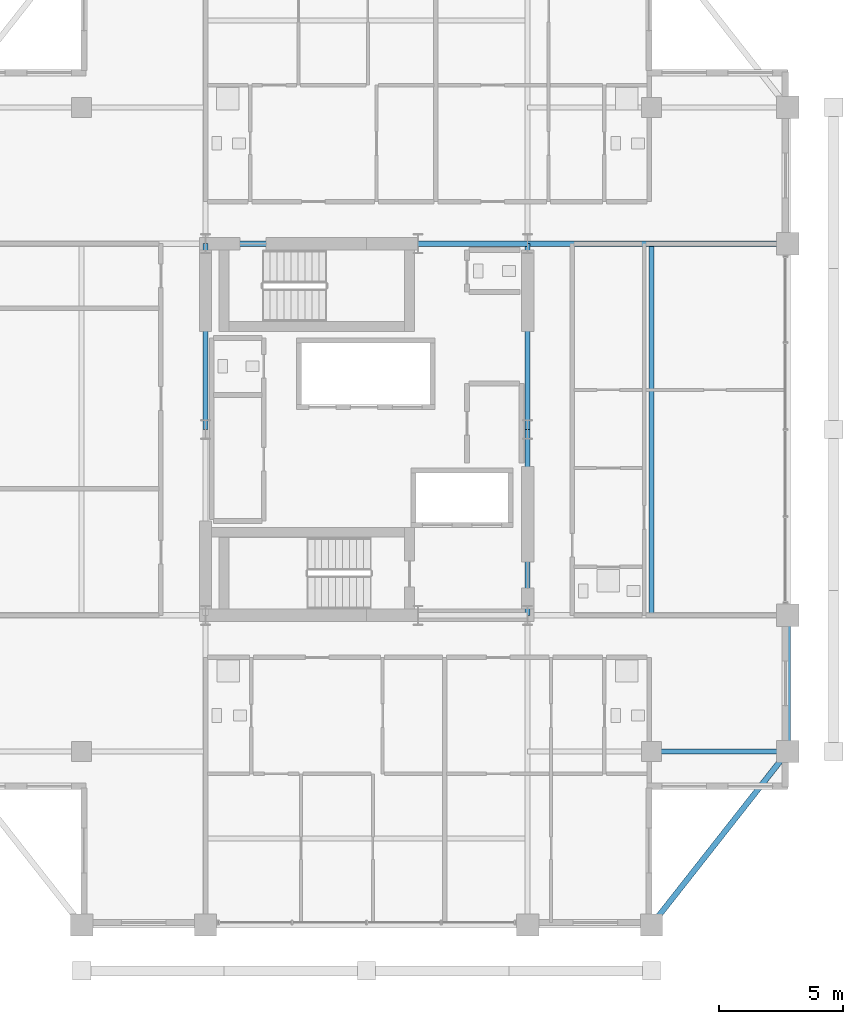
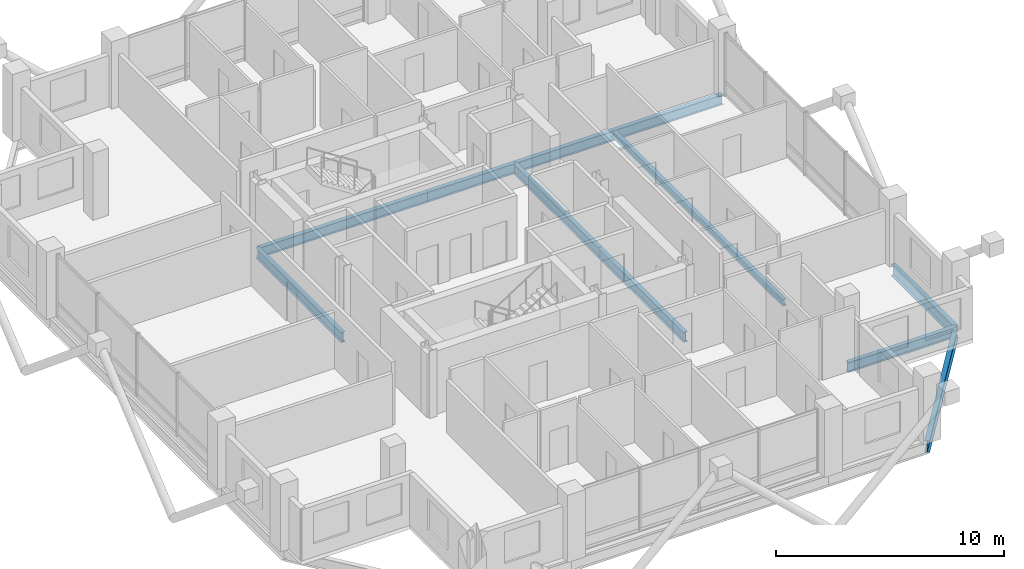
# One storey, part 10 of 23: 10 beams.
"""IFC4 building model written with IfcOpenShell, lengths in metres."""

from ifc_helpers import new_model, si_unit, direction, frame, origin, origin_2d, place, context, subcontext, project, spatial, i_section, extrude, material, material_profile, profile_set, type_object, element, save


model = new_model("IFC4")

# Units and contexts
model_context = context("Model", 3, precision=1e-05, world=origin(), true_north=direction((0.0, 1.0)))
body_context = subcontext(model_context, "Body", "Model", "MODEL_VIEW")
ifc_project = project(units=[si_unit("LENGTHUNIT", "METRE"), si_unit("AREAUNIT", "SQUARE_METRE"), si_unit("VOLUMEUNIT", "CUBIC_METRE"), si_unit("PLANEANGLEUNIT", "RADIAN"), si_unit("MASSUNIT", "GRAM", prefix="KILO")], contexts=[model_context])

# Site, building, storey
site_placement = place(None, origin())
site = spatial("IfcSite", under=ifc_project, at=site_placement, CompositionType="ELEMENT")
building_placement = place(site_placement, origin())
building = spatial("IfcBuilding", under=site, at=building_placement, Name="Barlavira Tower and Art Museum", CompositionType="ELEMENT")
storey_placement = place(building_placement, frame((0.0, 0.0, 236.699951171875)))
storey = spatial("IfcBuildingStorey", under=building, at=storey_placement, Name="L61", CompositionType="ELEMENT", Elevation=236.699951171875)

# Beams
ifc_material = material(Name="Steel S355", Category="steel")
ifc_material_profile_1 = material_profile(ifc_material, i_section(OverallWidth=0.22998046875, OverallDepth=0.616943359375, WebThickness=0.01318359375, FlangeThickness=0.022216796875, at=origin_2d()), Name="W610x140.0")
ifc_profile_set_1 = profile_set([ifc_material_profile_1], Name="Steel S355")
beam_type_1 = type_object("IfcBeamType", Name="Upper Shaft Spandrel Edge Beam W610x140 Steel S355", PredefinedType="SPANDREL", material=ifc_profile_set_1)
beam_1_placement = place(storey_placement, frame((11.5, -20.0, -0.528564453125), z_axis=(0.617821551932, 0.786318338822, 0.0), x_axis=(-0.786318338822, 0.617821551932, 0.0)))
element("IfcBeam", 1, at=beam_1_placement, inside=storey, type_object=beam_type_1, Name="L61 Spandrel 4", PredefinedType="SPANDREL", context=body_context, shape_type="SweptSolid", body=[
    extrude(i_section(OverallWidth=0.22998046875, OverallDepth=0.616943359375, WebThickness=0.01318359375, FlangeThickness=0.022216796875, at=origin_2d()), origin(), (0.0, 0.0, 1.0), 8.90234375),
])
beam_2_placement = place(storey_placement, frame((17.0, -13.0, -0.528564453125), z_axis=(0.0, 1.0, 0.0), x_axis=(-1.0, 0.0, 0.0)))
element("IfcBeam", 2, at=beam_2_placement, inside=storey, type_object=beam_type_1, Name="L61 Spandrel 5", PredefinedType="SPANDREL", context=body_context, shape_type="SweptSolid", body=[
    extrude(i_section(OverallWidth=0.22998046875, OverallDepth=0.616943359375, WebThickness=0.01318359375, FlangeThickness=0.022216796875, at=origin_2d()), origin(), (0.0, 0.0, 1.0), 5.5),
])
ifc_material_profile_2 = material_profile(ifc_material, i_section(OverallWidth=0.2109375, OverallDepth=0.5390625, WebThickness=0.01171875, FlangeThickness=0.018798828125, at=origin_2d()), Name="W530x109.0")
ifc_profile_set_2 = profile_set([ifc_material_profile_2], Name="Steel S355")
beam_type_2 = type_object("IfcBeamType", Name="Zone 3-4 Primary Floor Girder W530x109 Steel S355", PredefinedType="BEAM", material=ifc_profile_set_2)
beam_3_placement = place(storey_placement, frame((-6.5, 7.5, -0.489501953125), z_axis=(1.0, 0.0, 0.0), x_axis=(0.0, 1.0, 0.0)))
element("IfcBeam", 3, at=beam_3_placement, inside=storey, type_object=beam_type_2, Name="L61 Girder C-N1", PredefinedType="BEAM", context=body_context, shape_type="SweptSolid", body=[
    extrude(i_section(OverallWidth=0.2109375, OverallDepth=0.5390625, WebThickness=0.01171875, FlangeThickness=0.018798828125, at=origin_2d()), origin(), (0.0, 0.0, 1.0), 8.580078125),
])
beam_4_placement = place(storey_placement, frame((2.080078125, 7.5, -0.489501953125), z_axis=(1.0, 0.0, 0.0), x_axis=(0.0, 1.0, 0.0)))
element("IfcBeam", 4, at=beam_4_placement, inside=storey, type_object=beam_type_2, Name="L61 Girder C-N2", PredefinedType="BEAM", context=body_context, shape_type="SweptSolid", body=[
    extrude(i_section(OverallWidth=0.2109375, OverallDepth=0.5390625, WebThickness=0.01171875, FlangeThickness=0.018798828125, at=origin_2d()), origin(), (0.0, 0.0, 1.0), 4.419921875),
])
for number, where, z_axis, x_axis, name in (
    (5, (-6.5, 0.0, -0.489501953125), (0.0, 1.0, 0.0), (-1.0, 0.0, 0.0), "L61 Girder C-W2"),
    (6, (6.5, -7.5, -0.489501953125), (0.0, 1.0, 0.0), (-1.0, 0.0, 0.0), "L61 Girder C-E1"),
    (7, (6.5, 0.0, -0.489501953125), (0.0, 1.0, 0.0), (-1.0, 0.0, 0.0), "L61 Girder C-E2"),
):
    element("IfcBeam", number, at=place(storey_placement, frame(where, z_axis=z_axis, x_axis=x_axis)), inside=storey, type_object=beam_type_2, Name=name, PredefinedType="BEAM", context=body_context, shape_type="SweptSolid", body=[
        extrude(i_section(OverallWidth=0.2109375, OverallDepth=0.5390625, WebThickness=0.01171875, FlangeThickness=0.018798828125, at=origin_2d()), origin(), (0.0, 0.0, 1.0), 7.5),
    ])
beam_5_placement = place(storey_placement, frame((6.5, 7.5, -0.489501953125), z_axis=(1.0, 0.0, 0.0), x_axis=(0.0, 1.0, 0.0)))
element("IfcBeam", 8, at=beam_5_placement, inside=storey, type_object=beam_type_2, Name="L61 Girder R-E2", PredefinedType="BEAM", context=body_context, shape_type="SweptSolid", body=[
    extrude(i_section(OverallWidth=0.2109375, OverallDepth=0.5390625, WebThickness=0.01171875, FlangeThickness=0.018798828125, at=origin_2d()), origin(), (0.0, 0.0, 1.0), 10.5),
])
beam_6_placement = place(storey_placement, frame((11.5, -13.0, -0.489501953125), z_axis=(1.0, 0.0, 0.0), x_axis=(0.0, 1.0, 0.0)))
element("IfcBeam", 9, at=beam_6_placement, inside=storey, type_object=beam_type_2, Name="L61 Girder I-S4", PredefinedType="BEAM", context=body_context, shape_type="SweptSolid", body=[
    extrude(i_section(OverallWidth=0.2109375, OverallDepth=0.5390625, WebThickness=0.01171875, FlangeThickness=0.018798828125, at=origin_2d()), origin(), (0.0, 0.0, 1.0), 5.5),
])
ifc_material_profile_3 = material_profile(ifc_material, i_section(OverallWidth=0.202880859375, OverallDepth=0.346923828125, WebThickness=0.0078125, FlangeThickness=0.013427734375, at=origin_2d()), Name="W360x64.0")
ifc_profile_set_3 = profile_set([ifc_material_profile_3], Name="Steel S355")
beam_type_3 = type_object("IfcBeamType", Name="Zone 4 Composite Floor Joist W360x64 Steel S355", PredefinedType="JOIST", material=ifc_profile_set_3)
beam_7_placement = place(storey_placement, frame((11.5, -7.5, -0.3935546875), z_axis=(0.0, 1.0, 0.0), x_axis=(-1.0, 0.0, 0.0)))
element("IfcBeam", 10, at=beam_7_placement, inside=storey, type_object=beam_type_3, Name="L61 Joist W2", PredefinedType="JOIST", context=body_context, shape_type="SweptSolid", body=[
    extrude(i_section(OverallWidth=0.202880859375, OverallDepth=0.346923828125, WebThickness=0.0078125, FlangeThickness=0.013427734375, at=origin_2d()), origin(), (0.0, 0.0, 1.0), 15.0),
])

save(model, "model.ifc")
